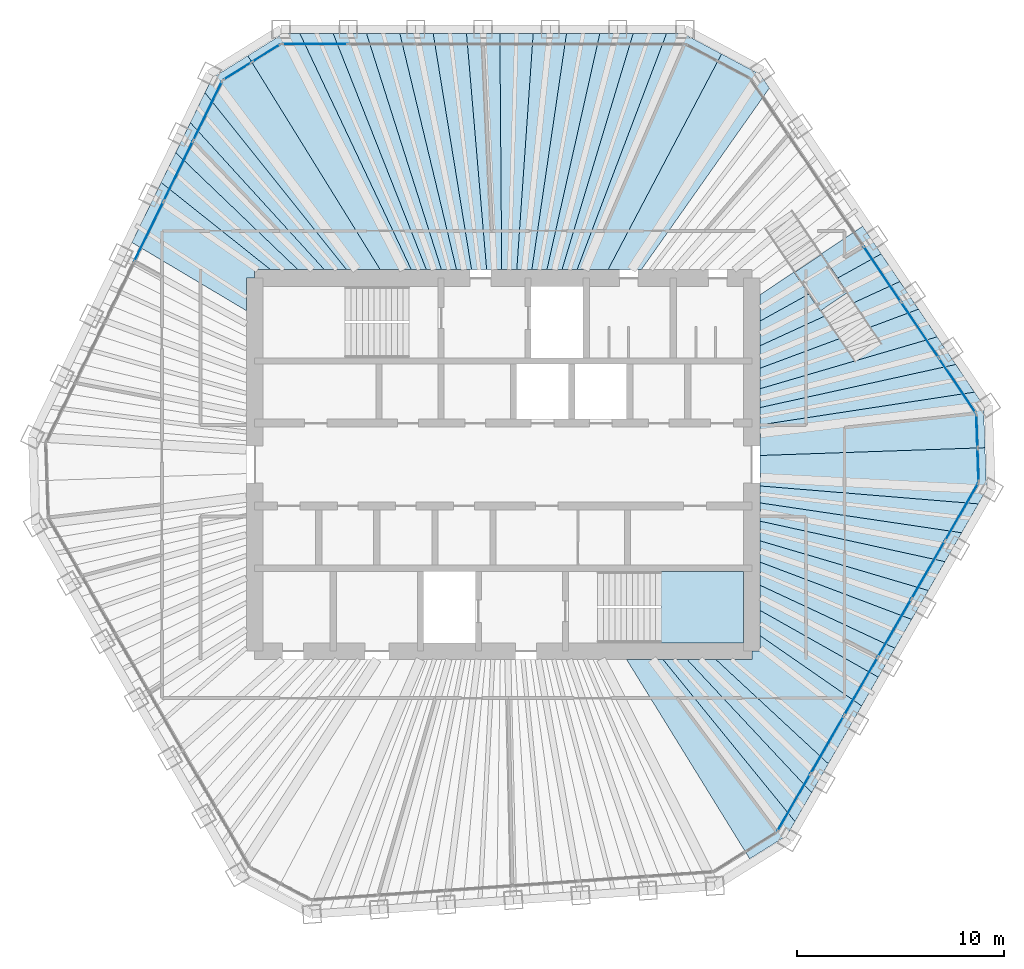
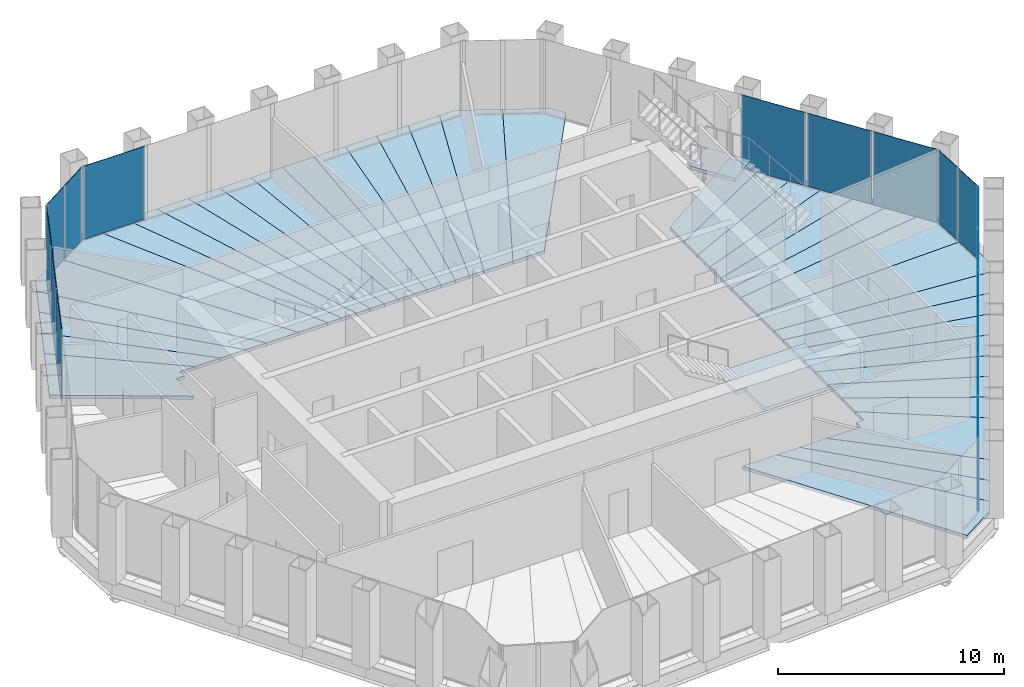
# One storey, part 10 of 14: 40 slabs, 17 plates, 8 elements without a shape of their own.
"""IFC4 building model written with IfcOpenShell, lengths in metres."""

from ifc_helpers import new_model, si_unit, direction, frame, origin, origin_2d, place, context, subcontext, project, spatial, polyline, rectangle, outline, extrude, material, layer, layer_set, constituent, constituent_set, type_object, element, aggregate, save


model = new_model("IFC4")

# Units and contexts
model_context = context("Model", 3, precision=1e-05, world=origin(), true_north=direction((0.0, 1.0)))
body_context = subcontext(model_context, "Body", "Model", "MODEL_VIEW")
ifc_project = project(units=[si_unit("LENGTHUNIT", "METRE"), si_unit("AREAUNIT", "SQUARE_METRE"), si_unit("VOLUMEUNIT", "CUBIC_METRE"), si_unit("PLANEANGLEUNIT", "RADIAN"), si_unit("MASSUNIT", "GRAM", prefix="KILO")], contexts=[model_context])

# Site, building, storey
site_placement = place(None, origin())
site = spatial("IfcSite", under=ifc_project, at=site_placement, CompositionType="ELEMENT")
building_placement = place(site_placement, origin())
building = spatial("IfcBuilding", under=site, at=building_placement, Name="Qingtian Harvest Tower", CompositionType="ELEMENT")
storey_placement = place(building_placement, frame((0.0, 0.0, 325.0)))
storey = spatial("IfcBuildingStorey", under=building, at=storey_placement, Name="L72", CompositionType="ELEMENT", Elevation=325.0)

# Slabs
ifc_material_1 = material(Name="Concrete fc' 35 MPa", Category="concrete")
ifc_layer_1 = layer(ifc_material_1, 0.169921875)
ifc_layer_set_1 = layer_set([ifc_layer_1], Name="Composite floor slab FS17 170")
slab_type_1 = type_object("IfcSlabType", Name="Composite floor slab FS17 170", PredefinedType="FLOOR", material=ifc_layer_set_1)
slab_1_placement = place(storey_placement, frame((0.0, 0.0, -0.169921875)))
element("IfcSlab", 1, at=slab_1_placement, inside=storey, type_object=slab_type_1, Name="Floor slab L72 panel D27", PredefinedType="FLOOR", context=body_context, shape_type="SweptSolid", body=[
    extrude(outline(polyline([(5.945556640625, -9.39990234375), (7.703125, -9.39990234375), (14.077880859375, -17.2265625), (13.6865234375, -17.904296875), (11.890380859375, -19.026611328125), (5.945556640625, -9.39990234375)])), origin(), (0.0, 0.0, 1.0), 0.169921875),
])
slab_2_placement = place(storey_placement, frame((0.0, 0.0, -0.169921875)))
element("IfcSlab", 2, at=slab_2_placement, inside=storey, type_object=slab_type_1, Name="Floor slab L72 panel D28", PredefinedType="FLOOR", context=body_context, shape_type="SweptSolid", body=[
    extrude(outline(polyline([(8.86279296875, -9.39990234375), (14.88232421875, -15.8330078125), (14.077880859375, -17.2265625), (7.703125, -9.39990234375), (8.86279296875, -9.39990234375)])), origin(), (0.0, 0.0, 1.0), 0.169921875),
])
slab_3_placement = place(storey_placement, frame((0.0, 0.0, -0.169921875)))
element("IfcSlab", 3, at=slab_3_placement, inside=storey, type_object=slab_type_1, Name="Floor slab L72 panel D29", PredefinedType="FLOOR", context=body_context, shape_type="SweptSolid", body=[
    extrude(outline(polyline([(10.248046875, -9.39990234375), (15.68701171875, -14.439453125), (14.88232421875, -15.8330078125), (8.86279296875, -9.39990234375), (10.248046875, -9.39990234375)])), origin(), (0.0, 0.0, 1.0), 0.169921875),
])
slab_4_placement = place(storey_placement, frame((0.0, 0.0, -0.169921875)))
element("IfcSlab", 4, at=slab_4_placement, inside=storey, type_object=slab_type_1, Name="Floor slab L72 panel D31", PredefinedType="FLOOR", context=body_context, shape_type="SweptSolid", body=[
    extrude(outline(polyline([(12.39990234375, -8.263427734375), (17.296630859375, -11.651123046875), (15.68701171875, -14.439453125), (10.248046875, -9.39990234375), (12.0, -9.39990234375), (12.0, -9.0), (12.39990234375, -9.0), (12.39990234375, -8.263427734375)])), origin(), (0.0, 0.0, 1.0), 0.169921875),
])
slab_5_placement = place(storey_placement, frame((0.0, 0.0, -0.169921875)))
element("IfcSlab", 5, at=slab_5_placement, inside=storey, type_object=slab_type_1, Name="Floor slab L72 panel D32", PredefinedType="FLOOR", context=body_context, shape_type="SweptSolid", body=[
    extrude(outline(polyline([(12.39990234375, -7.04296875), (18.099853515625, -10.26025390625), (17.296630859375, -11.651123046875), (12.39990234375, -8.263427734375), (12.39990234375, -7.04296875)])), origin(), (0.0, 0.0, 1.0), 0.169921875),
])
slab_6_placement = place(storey_placement, frame((0.0, 0.0, -0.169921875)))
element("IfcSlab", 6, at=slab_6_placement, inside=storey, type_object=slab_type_1, Name="Floor slab L72 panel D33", PredefinedType="FLOOR", context=body_context, shape_type="SweptSolid", body=[
    extrude(outline(polyline([(12.39990234375, -5.828125), (18.904296875, -8.86669921875), (18.099853515625, -10.26025390625), (12.39990234375, -7.04296875), (12.39990234375, -5.828125)])), origin(), (0.0, 0.0, 1.0), 0.169921875),
])
slab_7_placement = place(storey_placement, frame((0.0, 0.0, -0.169921875)))
element("IfcSlab", 7, at=slab_7_placement, inside=storey, type_object=slab_type_1, Name="Floor slab L72 panel D34", PredefinedType="FLOOR", context=body_context, shape_type="SweptSolid", body=[
    extrude(outline(polyline([(12.39990234375, -4.712646484375), (19.708740234375, -7.473388671875), (18.904296875, -8.86669921875), (12.39990234375, -5.828125), (12.39990234375, -4.712646484375)])), origin(), (0.0, 0.0, 1.0), 0.169921875),
])
slab_8_placement = place(storey_placement, frame((0.0, 0.0, -0.169921875)))
element("IfcSlab", 8, at=slab_8_placement, inside=storey, type_object=slab_type_1, Name="Floor slab L72 panel D35", PredefinedType="FLOOR", context=body_context, shape_type="SweptSolid", body=[
    extrude(outline(polyline([(12.39990234375, -3.684814453125), (20.51318359375, -6.080078125), (19.708740234375, -7.473388671875), (12.39990234375, -4.712646484375), (12.39990234375, -3.684814453125)])), origin(), (0.0, 0.0, 1.0), 0.169921875),
])
slab_9_placement = place(storey_placement, frame((0.0, 0.0, -0.169921875)))
element("IfcSlab", 9, at=slab_9_placement, inside=storey, type_object=slab_type_1, Name="Floor slab L72 panel D36", PredefinedType="FLOOR", context=body_context, shape_type="SweptSolid", body=[
    extrude(outline(polyline([(12.39990234375, -2.734619140625), (21.317626953125, -4.6865234375), (20.51318359375, -6.080078125), (12.39990234375, -3.684814453125), (12.39990234375, -2.734619140625)])), origin(), (0.0, 0.0, 1.0), 0.169921875),
])
slab_10_placement = place(storey_placement, frame((0.0, 0.0, -0.169921875)))
element("IfcSlab", 10, at=slab_10_placement, inside=storey, type_object=slab_type_1, Name="Floor slab L72 panel D37", PredefinedType="FLOOR", context=body_context, shape_type="SweptSolid", body=[
    extrude(outline(polyline([(12.39990234375, -1.853515625), (22.122314453125, -3.293212890625), (21.317626953125, -4.6865234375), (12.39990234375, -2.734619140625), (12.39990234375, -1.853515625)])), origin(), (0.0, 0.0, 1.0), 0.169921875),
])
slab_11_placement = place(storey_placement, frame((0.0, 0.0, -0.169921875)))
element("IfcSlab", 11, at=slab_11_placement, inside=storey, type_object=slab_type_1, Name="Floor slab L72 panel D38", PredefinedType="FLOOR", context=body_context, shape_type="SweptSolid", body=[
    extrude(outline(polyline([(12.39990234375, -1.034423828125), (22.9267578125, -1.89990234375), (22.122314453125, -3.293212890625), (12.39990234375, -1.853515625), (12.39990234375, -1.034423828125)])), origin(), (0.0, 0.0, 1.0), 0.169921875),
])
slab_12_placement = place(storey_placement, frame((0.0, 0.0, -0.169921875)))
element("IfcSlab", 12, at=slab_12_placement, inside=storey, type_object=slab_type_1, Name="Floor slab L72 panel D39", PredefinedType="FLOOR", context=body_context, shape_type="SweptSolid", body=[
    extrude(outline(polyline([(12.39990234375, -1.034423828125), (12.39990234375, 0.436279296875), (23.246826171875, 0.811767578125), (23.31787109375, -1.22216796875), (22.9267578125, -1.89990234375), (12.39990234375, -1.034423828125)])), origin(), (0.0, 0.0, 1.0), 0.169921875),
])
slab_13_placement = place(storey_placement, frame((0.0, 0.0, -0.169921875)))
element("IfcSlab", 13, at=slab_13_placement, inside=storey, type_object=slab_type_1, Name="Floor slab L72 panel D40", PredefinedType="FLOOR", context=body_context, shape_type="SweptSolid", body=[
    extrude(outline(polyline([(12.39990234375, 0.436279296875), (12.39990234375, 1.91357421875), (22.73828125, 3.494384765625), (23.17578125, 2.845947265625), (23.246826171875, 0.811767578125), (12.39990234375, 0.436279296875)])), origin(), (0.0, 0.0, 1.0), 0.169921875),
])
slab_14_placement = place(storey_placement, frame((0.0, 0.0, -0.169921875)))
element("IfcSlab", 14, at=slab_14_placement, inside=storey, type_object=slab_type_1, Name="Floor slab L72 panel D41", PredefinedType="FLOOR", context=body_context, shape_type="SweptSolid", body=[
    extrude(outline(polyline([(12.39990234375, 2.75048828125), (21.838623046875, 4.828369140625), (22.73828125, 3.494384765625), (12.39990234375, 1.91357421875), (12.39990234375, 2.75048828125)])), origin(), (0.0, 0.0, 1.0), 0.169921875),
])
slab_15_placement = place(storey_placement, frame((0.0, 0.0, -0.169921875)))
element("IfcSlab", 15, at=slab_15_placement, inside=storey, type_object=slab_type_1, Name="Floor slab L72 panel D42", PredefinedType="FLOOR", context=body_context, shape_type="SweptSolid", body=[
    extrude(outline(polyline([(12.39990234375, 3.659423828125), (20.93896484375, 6.162353515625), (21.838623046875, 4.828369140625), (12.39990234375, 2.75048828125), (12.39990234375, 3.659423828125)])), origin(), (0.0, 0.0, 1.0), 0.169921875),
])
slab_16_placement = place(storey_placement, frame((0.0, 0.0, -0.169921875)))
element("IfcSlab", 16, at=slab_16_placement, inside=storey, type_object=slab_type_1, Name="Floor slab L72 panel D43", PredefinedType="FLOOR", context=body_context, shape_type="SweptSolid", body=[
    extrude(outline(polyline([(12.39990234375, 4.64990234375), (20.0390625, 7.49609375), (20.93896484375, 6.162353515625), (12.39990234375, 3.659423828125), (12.39990234375, 4.64990234375)])), origin(), (0.0, 0.0, 1.0), 0.169921875),
])
slab_17_placement = place(storey_placement, frame((0.0, 0.0, -0.169921875)))
element("IfcSlab", 17, at=slab_17_placement, inside=storey, type_object=slab_type_1, Name="Floor slab L72 panel D44", PredefinedType="FLOOR", context=body_context, shape_type="SweptSolid", body=[
    extrude(outline(polyline([(12.39990234375, 5.73388671875), (19.139404296875, 8.830078125), (20.0390625, 7.49609375), (12.39990234375, 4.64990234375), (12.39990234375, 5.73388671875)])), origin(), (0.0, 0.0, 1.0), 0.169921875),
])
slab_18_placement = place(storey_placement, frame((0.0, 0.0, -0.169921875)))
element("IfcSlab", 18, at=slab_18_placement, inside=storey, type_object=slab_type_1, Name="Floor slab L72 panel D45", PredefinedType="FLOOR", context=body_context, shape_type="SweptSolid", body=[
    extrude(outline(polyline([(12.39990234375, 6.925048828125), (18.23974609375, 10.1640625), (19.139404296875, 8.830078125), (12.39990234375, 5.73388671875), (12.39990234375, 6.925048828125)])), origin(), (0.0, 0.0, 1.0), 0.169921875),
])
slab_19_placement = place(storey_placement, frame((0.0, 0.0, -0.169921875)))
element("IfcSlab", 19, at=slab_19_placement, inside=storey, type_object=slab_type_1, Name="Floor slab L72 panel D46", PredefinedType="FLOOR", context=body_context, shape_type="SweptSolid", body=[
    extrude(outline(polyline([(12.39990234375, 8.199462890625), (17.340576171875, 11.4970703125), (18.23974609375, 10.1640625), (12.39990234375, 6.925048828125), (12.39990234375, 8.199462890625)])), origin(), (0.0, 0.0, 1.0), 0.169921875),
])
slab_20_placement = place(storey_placement, frame((0.0, 0.0, -0.169921875)))
element("IfcSlab", 20, at=slab_20_placement, inside=storey, type_object=slab_type_1, Name="Floor slab L72 panel D52", PredefinedType="FLOOR", context=body_context, shape_type="SweptSolid", body=[
    extrude(outline(polyline([(6.662109375, 9.39990234375), (5.05419921875, 9.39990234375), (10.533935546875, 19.809814453125), (12.404296875, 18.8154296875), (12.841796875, 18.16650390625), (6.662109375, 9.39990234375)])), origin(), (0.0, 0.0, 1.0), 0.169921875),
])
slab_21_placement = place(storey_placement, frame((0.0, 0.0, -0.169921875)))
element("IfcSlab", 21, at=slab_21_placement, inside=storey, type_object=slab_type_1, Name="Floor slab L72 panel D53", PredefinedType="FLOOR", context=body_context, shape_type="SweptSolid", body=[
    extrude(outline(polyline([(3.560302734375, 9.39990234375), (7.880126953125, 20.804931640625), (8.662109375, 20.804931640625), (10.533935546875, 19.809814453125), (5.05419921875, 9.39990234375), (3.560302734375, 9.39990234375)])), origin(), (0.0, 0.0, 1.0), 0.169921875),
])
slab_22_placement = place(storey_placement, frame((0.0, 0.0, -0.169921875)))
element("IfcSlab", 22, at=slab_22_placement, inside=storey, type_object=slab_type_1, Name="Floor slab L72 panel D54", PredefinedType="FLOOR", context=body_context, shape_type="SweptSolid", body=[
    extrude(outline(polyline([(2.833251953125, 9.39990234375), (6.27099609375, 20.804931640625), (7.880126953125, 20.804931640625), (3.560302734375, 9.39990234375), (2.833251953125, 9.39990234375)])), origin(), (0.0, 0.0, 1.0), 0.169921875),
])
slab_23_placement = place(storey_placement, frame((0.0, 0.0, -0.169921875)))
element("IfcSlab", 23, at=slab_23_placement, inside=storey, type_object=slab_type_1, Name="Floor slab L72 panel D55", PredefinedType="FLOOR", context=body_context, shape_type="SweptSolid", body=[
    extrude(outline(polyline([(2.1064453125, 9.39990234375), (4.662109375, 20.804931640625), (6.27099609375, 20.804931640625), (2.833251953125, 9.39990234375), (2.1064453125, 9.39990234375)])), origin(), (0.0, 0.0, 1.0), 0.169921875),
])
slab_24_placement = place(storey_placement, frame((0.0, 0.0, -0.169921875)))
element("IfcSlab", 24, at=slab_24_placement, inside=storey, type_object=slab_type_1, Name="Floor slab L72 panel D56", PredefinedType="FLOOR", context=body_context, shape_type="SweptSolid", body=[
    extrude(outline(polyline([(1.37939453125, 9.39990234375), (3.05322265625, 20.804931640625), (4.662109375, 20.804931640625), (2.1064453125, 9.39990234375), (1.37939453125, 9.39990234375)])), origin(), (0.0, 0.0, 1.0), 0.169921875),
])
slab_25_placement = place(storey_placement, frame((0.0, 0.0, -0.169921875)))
element("IfcSlab", 25, at=slab_25_placement, inside=storey, type_object=slab_type_1, Name="Floor slab L72 panel D57", PredefinedType="FLOOR", context=body_context, shape_type="SweptSolid", body=[
    extrude(outline(polyline([(0.652587890625, 9.39990234375), (1.4443359375, 20.804931640625), (3.05322265625, 20.804931640625), (1.37939453125, 9.39990234375), (0.652587890625, 9.39990234375)])), origin(), (0.0, 0.0, 1.0), 0.169921875),
])
slab_26_placement = place(storey_placement, frame((0.0, 0.0, -0.169921875)))
element("IfcSlab", 26, at=slab_26_placement, inside=storey, type_object=slab_type_1, Name="Floor slab L72 panel D58", PredefinedType="FLOOR", context=body_context, shape_type="SweptSolid", body=[
    extrude(outline(polyline([(-0.074462890625, 9.39990234375), (-0.16455078125, 20.804931640625), (1.4443359375, 20.804931640625), (0.652587890625, 9.39990234375), (-0.074462890625, 9.39990234375)])), origin(), (0.0, 0.0, 1.0), 0.169921875),
])
slab_27_placement = place(storey_placement, frame((0.0, 0.0, -0.169921875)))
element("IfcSlab", 27, at=slab_27_placement, inside=storey, type_object=slab_type_1, Name="Floor slab L72 panel D59", PredefinedType="FLOOR", context=body_context, shape_type="SweptSolid", body=[
    extrude(outline(polyline([(-0.80126953125, 9.39990234375), (-1.773681640625, 20.804931640625), (-0.16455078125, 20.804931640625), (-0.074462890625, 9.39990234375), (-0.80126953125, 9.39990234375)])), origin(), (0.0, 0.0, 1.0), 0.169921875),
])
slab_28_placement = place(storey_placement, frame((0.0, 0.0, -0.169921875)))
element("IfcSlab", 28, at=slab_28_placement, inside=storey, type_object=slab_type_1, Name="Floor slab L72 panel D60", PredefinedType="FLOOR", context=body_context, shape_type="SweptSolid", body=[
    extrude(outline(polyline([(-1.5283203125, 9.39990234375), (-3.382568359375, 20.804931640625), (-1.773681640625, 20.804931640625), (-0.80126953125, 9.39990234375), (-1.5283203125, 9.39990234375)])), origin(), (0.0, 0.0, 1.0), 0.169921875),
])
slab_29_placement = place(storey_placement, frame((0.0, 0.0, -0.169921875)))
element("IfcSlab", 29, at=slab_29_placement, inside=storey, type_object=slab_type_1, Name="Floor slab L72 panel D61", PredefinedType="FLOOR", context=body_context, shape_type="SweptSolid", body=[
    extrude(outline(polyline([(-2.255126953125, 9.39990234375), (-4.991455078125, 20.804931640625), (-3.382568359375, 20.804931640625), (-1.5283203125, 9.39990234375), (-2.255126953125, 9.39990234375)])), origin(), (0.0, 0.0, 1.0), 0.169921875),
])
slab_30_placement = place(storey_placement, frame((0.0, 0.0, -0.169921875)))
element("IfcSlab", 30, at=slab_30_placement, inside=storey, type_object=slab_type_1, Name="Floor slab L72 panel D62", PredefinedType="FLOOR", context=body_context, shape_type="SweptSolid", body=[
    extrude(outline(polyline([(-2.982177734375, 9.39990234375), (-6.600341796875, 20.804931640625), (-4.991455078125, 20.804931640625), (-2.255126953125, 9.39990234375), (-2.982177734375, 9.39990234375)])), origin(), (0.0, 0.0, 1.0), 0.169921875),
])
slab_31_placement = place(storey_placement, frame((0.0, 0.0, -0.169921875)))
element("IfcSlab", 31, at=slab_31_placement, inside=storey, type_object=slab_type_1, Name="Floor slab L72 panel D63", PredefinedType="FLOOR", context=body_context, shape_type="SweptSolid", body=[
    extrude(outline(polyline([(-3.708984375, 9.39990234375), (-8.209228515625, 20.804931640625), (-6.600341796875, 20.804931640625), (-2.982177734375, 9.39990234375), (-3.708984375, 9.39990234375)])), origin(), (0.0, 0.0, 1.0), 0.169921875),
])
slab_32_placement = place(storey_placement, frame((0.0, 0.0, -0.169921875)))
element("IfcSlab", 32, at=slab_32_placement, inside=storey, type_object=slab_type_1, Name="Floor slab L72 panel D64", PredefinedType="FLOOR", context=body_context, shape_type="SweptSolid", body=[
    extrude(outline(polyline([(-4.43603515625, 9.39990234375), (-9.818115234375, 20.804931640625), (-8.209228515625, 20.804931640625), (-3.708984375, 9.39990234375), (-4.43603515625, 9.39990234375)])), origin(), (0.0, 0.0, 1.0), 0.169921875),
])
slab_33_placement = place(storey_placement, frame((0.0, 0.0, -0.169921875)))
element("IfcSlab", 33, at=slab_33_placement, inside=storey, type_object=slab_type_1, Name="Floor slab L72 panel D65", PredefinedType="FLOOR", context=body_context, shape_type="SweptSolid", body=[
    extrude(outline(polyline([(-4.43603515625, 9.39990234375), (-5.935302734375, 9.39990234375), (-12.327392578125, 19.725830078125), (-10.600341796875, 20.804931640625), (-9.818115234375, 20.804931640625), (-4.43603515625, 9.39990234375)])), origin(), (0.0, 0.0, 1.0), 0.169921875),
])
slab_34_placement = place(storey_placement, frame((0.0, 0.0, -0.169921875)))
element("IfcSlab", 34, at=slab_34_placement, inside=storey, type_object=slab_type_1, Name="Floor slab L72 panel D66", PredefinedType="FLOOR", context=body_context, shape_type="SweptSolid", body=[
    extrude(outline(polyline([(-5.935302734375, 9.39990234375), (-7.560302734375, 9.39990234375), (-14.3955078125, 17.944580078125), (-14.052490234375, 18.64794921875), (-12.327392578125, 19.725830078125), (-5.935302734375, 9.39990234375)])), origin(), (0.0, 0.0, 1.0), 0.169921875),
])
slab_35_placement = place(storey_placement, frame((0.0, 0.0, -0.169921875)))
element("IfcSlab", 35, at=slab_35_placement, inside=storey, type_object=slab_type_1, Name="Floor slab L72 panel D67", PredefinedType="FLOOR", context=body_context, shape_type="SweptSolid", body=[
    extrude(outline(polyline([(-8.62890625, 9.39990234375), (-15.100830078125, 16.498291015625), (-14.3955078125, 17.944580078125), (-7.560302734375, 9.39990234375), (-8.62890625, 9.39990234375)])), origin(), (0.0, 0.0, 1.0), 0.169921875),
])
slab_36_placement = place(storey_placement, frame((0.0, 0.0, -0.169921875)))
element("IfcSlab", 36, at=slab_36_placement, inside=storey, type_object=slab_type_1, Name="Floor slab L72 panel D68", PredefinedType="FLOOR", context=body_context, shape_type="SweptSolid", body=[
    extrude(outline(polyline([(-9.90380859375, 9.39990234375), (-15.80615234375, 15.05224609375), (-15.100830078125, 16.498291015625), (-8.62890625, 9.39990234375), (-9.90380859375, 9.39990234375)])), origin(), (0.0, 0.0, 1.0), 0.169921875),
])
slab_37_placement = place(storey_placement, frame((0.0, 0.0, -0.169921875)))
element("IfcSlab", 37, at=slab_37_placement, inside=storey, type_object=slab_type_1, Name="Floor slab L72 panel D69", PredefinedType="FLOOR", context=body_context, shape_type="SweptSolid", body=[
    extrude(outline(polyline([(-11.224853515625, 9.39990234375), (-16.509765625, 13.609619140625), (-15.80615234375, 15.05224609375), (-9.90380859375, 9.39990234375), (-11.224853515625, 9.39990234375)])), origin(), (0.0, 0.0, 1.0), 0.169921875),
])
slab_38_placement = place(storey_placement, frame((0.0, 0.0, -0.169921875)))
element("IfcSlab", 38, at=slab_38_placement, inside=storey, type_object=slab_type_1, Name="Floor slab L72 panel D70", PredefinedType="FLOOR", context=body_context, shape_type="SweptSolid", body=[
    extrude(outline(polyline([(-12.0, 9.0), (-12.39990234375, 9.0), (-12.39990234375, 7.42578125), (-17.921875, 10.714599609375), (-16.509765625, 13.609619140625), (-11.224853515625, 9.39990234375), (-12.0, 9.39990234375), (-12.0, 9.0)])), origin(), (0.0, 0.0, 1.0), 0.169921875),
])

# Stair, slab
ifc_material_2 = material(Name="Steel SN490B (325 MPa)", Category="steel")
ifc_constituent_1 = constituent(ifc_material_2, Name="Stringers")
ifc_material_3 = material(Name="Terrazzo treads")
ifc_constituent_2 = constituent(ifc_material_3, Name="Treads")
ifc_constituent_set = constituent_set(constituents=[ifc_constituent_1, ifc_constituent_2], Name="Steel SN490B (325 MPa)")
stair_type_1 = type_object("IfcStairType", Name="Feature stair FS4200 straight run", PredefinedType="STRAIGHT_RUN_STAIR", material=ifc_constituent_set)
stair_1_placement = place(storey_placement, origin())
stair_1 = element("IfcStair", 39, at=stair_1_placement, inside=storey, type_object=stair_type_1, Name="Feature stair FS5 L72 to L73", PredefinedType="STRAIGHT_RUN_STAIR")
ifc_material_4 = material(Name="Steel deck with terrazzo", Category="steel")
ifc_layer_2 = layer(ifc_material_4, 0.199951171875)
ifc_layer_set_2 = layer_set([ifc_layer_2], Name="Feature stair landing SL3 200")
slab_type_2 = type_object("IfcSlabType", Name="Feature stair landing SL3 200", PredefinedType="LANDING", material=ifc_layer_set_2)
slab_39_placement = place(storey_placement, frame((0.0, 0.0, 1.89990234375)))
slab_39 = element("IfcSlab", 40, at=slab_39_placement, type_object=slab_type_2, Name="FS5 landing 1", PredefinedType="LANDING", context=body_context, shape_type="SweptSolid", body=[
    extrude(outline(polyline([(14.040283203125, 9.259521484375), (15.36669921875, 10.154052734375), (16.616455078125, 8.30126953125), (15.2900390625, 7.406494140625), (14.040283203125, 9.259521484375)])), origin(), (0.0, 0.0, 1.0), 0.2001953125),
])
aggregate(stair_1, [slab_39])

# Curtain wall, plate
ifc_material_5 = material(Name="Bronze-anodised aluminium curtain wall", Category="aluminium")
curtain_wall_type = type_object("IfcCurtainWallType", Name="Curtain wall CW6 executive floors", PredefinedType="USERDEFINED", material=ifc_material_5)
curtain_wall_1_placement = place(storey_placement, origin())
curtain_wall_1 = element("IfcCurtainWall", 41, at=curtain_wall_1_placement, inside=storey, type_object=curtain_wall_type, Name="Curtain wall CW6 L72 N0-5", ObjectType="RECESSED CURTAIN WALL", PredefinedType="USERDEFINED")
ifc_material_6 = material(Name="Bronze-tinted laminated insulating glass", Category="glass")
ifc_layer_3 = layer(ifc_material_6, 0.030029296875)
ifc_layer_set_3 = layer_set([ifc_layer_3], Name="Glazed panel CWP tinted IGU")
plate_type = type_object("IfcPlateType", Name="Glazed panel CWP tinted IGU", PredefinedType="CURTAIN_PANEL", material=ifc_layer_set_3)
plate_1_placement = place(storey_placement, frame((-9.08203125, 20.300048828125, 0.06494140625), z_axis=(0.0, 0.0, 1.0), x_axis=(1.0, 0.0, 0.0)))
plate_1 = element("IfcPlate", 42, at=plate_1_placement, type_object=plate_type, Name="CW6 panel 1.1", PredefinedType="CURTAIN_PANEL", context=body_context, shape_type="SweptSolid", body=[
    extrude(rectangle(XDim=3.150634765625, YDim=0.030029296875, at=origin_2d()), origin(), (0.0, 0.0, 1.0), 3.965087890625),
])
aggregate(curtain_wall_1, [plate_1])

# Curtain wall, plates
curtain_wall_2_placement = place(storey_placement, origin())
curtain_wall_2 = element("IfcCurtainWall", 43, at=curtain_wall_2_placement, inside=storey, type_object=curtain_wall_type, Name="Curtain wall CW6 L72 NE0-5", ObjectType="RECESSED CURTAIN WALL", PredefinedType="USERDEFINED")
plate_2_placement = place(storey_placement, frame((18.28466796875, 9.1943359375, 0.06494140625), z_axis=(0.0, 0.0, 1.0), x_axis=(0.559192903471, -0.829037572555, 0.0)))
plate_2 = element("IfcPlate", 44, at=plate_2_placement, type_object=plate_type, Name="CW6 panel 4.1", PredefinedType="CURTAIN_PANEL", context=body_context, shape_type="SweptSolid", body=[
    extrude(rectangle(XDim=3.18310546875, YDim=0.030029296875, at=origin_2d()), origin(), (0.0, 0.0, 1.0), 3.965087890625),
])
plate_3_placement = place(storey_placement, frame((20.100830078125, 6.50146484375, 0.06494140625), z_axis=(0.0, 0.0, 1.0), x_axis=(0.559192903471, -0.829037572555, 0.0)))
plate_3 = element("IfcPlate", 45, at=plate_3_placement, type_object=plate_type, Name="CW6 panel 5.1", PredefinedType="CURTAIN_PANEL", context=body_context, shape_type="SweptSolid", body=[
    extrude(rectangle(XDim=3.18310546875, YDim=0.030029296875, at=origin_2d()), origin(), (0.0, 0.0, 1.0), 3.965087890625),
])
plate_4_placement = place(storey_placement, frame((21.907958984375, 3.822265625, 0.06494140625), z_axis=(0.0, 0.0, 1.0), x_axis=(0.559192903471, -0.829037572555, 0.0)))
plate_4 = element("IfcPlate", 46, at=plate_4_placement, type_object=plate_type, Name="CW6 panel 6.1", PredefinedType="CURTAIN_PANEL", context=body_context, shape_type="SweptSolid", body=[
    extrude(rectangle(XDim=3.150634765625, YDim=0.030029296875, at=origin_2d()), origin(), (0.0, 0.0, 1.0), 3.965087890625),
])
aggregate(curtain_wall_2, [plate_2, plate_3, plate_4])

curtain_wall_3_placement = place(storey_placement, origin())
curtain_wall_3 = element("IfcCurtainWall", 47, at=curtain_wall_3_placement, inside=storey, type_object=curtain_wall_type, Name="Curtain wall CW6 L72 NEC", ObjectType="RECESSED CURTAIN WALL", PredefinedType="USERDEFINED")
plate_5_placement = place(storey_placement, frame((22.85498046875, 1.614501953125, 0.06494140625), z_axis=(0.0, 0.0, 1.0), x_axis=(0.034899496703, -0.999390827019, 0.0)))
plate_5 = element("IfcPlate", 48, at=plate_5_placement, type_object=plate_type, Name="CW6 panel 1.1", PredefinedType="CURTAIN_PANEL", context=body_context, shape_type="SweptSolid", body=[
    extrude(rectangle(XDim=1.56689453125, YDim=0.030029296875, at=origin_2d()), origin(), (0.0, 0.0, 1.0), 3.965087890625),
])
plate_6_placement = place(storey_placement, frame((22.911865234375, -0.016357421875, 0.06494140625), z_axis=(0.0, 0.0, 1.0), x_axis=(0.034899496703, -0.999390827019, 0.0)))
plate_6 = element("IfcPlate", 49, at=plate_6_placement, type_object=plate_type, Name="CW6 panel 2.1", PredefinedType="CURTAIN_PANEL", context=body_context, shape_type="SweptSolid", body=[
    extrude(rectangle(XDim=1.56689453125, YDim=0.030029296875, at=origin_2d()), origin(), (0.0, 0.0, 1.0), 3.965087890625),
])
aggregate(curtain_wall_3, [plate_5, plate_6])

curtain_wall_4_placement = place(storey_placement, origin())
curtain_wall_4 = element("IfcCurtainWall", 50, at=curtain_wall_4_placement, inside=storey, type_object=curtain_wall_type, Name="Curtain wall CW6 L72 SE0-5", ObjectType="RECESSED CURTAIN WALL", PredefinedType="USERDEFINED")
plate_7_placement = place(storey_placement, frame((22.121337890625, -2.28466796875, 0.06494140625), z_axis=(0.0, 0.0, 1.0), x_axis=(-0.5, -0.866025403784, 0.0)))
plate_7 = element("IfcPlate", 51, at=plate_7_placement, type_object=plate_type, Name="CW6 panel 1.1", PredefinedType="CURTAIN_PANEL", context=body_context, shape_type="SweptSolid", body=[
    extrude(rectangle(XDim=3.150634765625, YDim=0.030029296875, at=origin_2d()), origin(), (0.0, 0.0, 1.0), 3.965087890625),
])
plate_8_placement = place(storey_placement, frame((20.50537109375, -5.08349609375, 0.06494140625), z_axis=(0.0, 0.0, 1.0), x_axis=(-0.5, -0.866025403784, 0.0)))
plate_8 = element("IfcPlate", 52, at=plate_8_placement, type_object=plate_type, Name="CW6 panel 2.1", PredefinedType="CURTAIN_PANEL", context=body_context, shape_type="SweptSolid", body=[
    extrude(rectangle(XDim=3.18310546875, YDim=0.030029296875, at=origin_2d()), origin(), (0.0, 0.0, 1.0), 3.965087890625),
])
plate_9_placement = place(storey_placement, frame((18.88134765625, -7.896484375, 0.06494140625), z_axis=(0.0, 0.0, 1.0), x_axis=(-0.5, -0.866025403784, 0.0)))
plate_9 = element("IfcPlate", 53, at=plate_9_placement, type_object=plate_type, Name="CW6 panel 3.1", PredefinedType="CURTAIN_PANEL", context=body_context, shape_type="SweptSolid", body=[
    extrude(rectangle(XDim=3.18310546875, YDim=0.030029296875, at=origin_2d()), origin(), (0.0, 0.0, 1.0), 3.965087890625),
])
plate_10_placement = place(storey_placement, frame((17.25732421875, -10.709228515625, 0.06494140625), z_axis=(0.0, 0.0, 1.0), x_axis=(-0.5, -0.866025403784, 0.0)))
plate_10 = element("IfcPlate", 54, at=plate_10_placement, type_object=plate_type, Name="CW6 panel 4.1", PredefinedType="CURTAIN_PANEL", context=body_context, shape_type="SweptSolid", body=[
    extrude(rectangle(XDim=3.18310546875, YDim=0.030029296875, at=origin_2d()), origin(), (0.0, 0.0, 1.0), 3.965087890625),
])
plate_11_placement = place(storey_placement, frame((15.63330078125, -13.522216796875, 0.06494140625), z_axis=(0.0, 0.0, 1.0), x_axis=(-0.5, -0.866025403784, 0.0)))
plate_11 = element("IfcPlate", 55, at=plate_11_placement, type_object=plate_type, Name="CW6 panel 5.1", PredefinedType="CURTAIN_PANEL", context=body_context, shape_type="SweptSolid", body=[
    extrude(rectangle(XDim=3.18310546875, YDim=0.030029296875, at=origin_2d()), origin(), (0.0, 0.0, 1.0), 3.965087890625),
])
plate_12_placement = place(storey_placement, frame((14.017578125, -16.321044921875, 0.06494140625), z_axis=(0.0, 0.0, 1.0), x_axis=(-0.5, -0.866025403784, 0.0)))
plate_12 = element("IfcPlate", 56, at=plate_12_placement, type_object=plate_type, Name="CW6 panel 6.1", PredefinedType="CURTAIN_PANEL", context=body_context, shape_type="SweptSolid", body=[
    extrude(rectangle(XDim=3.150634765625, YDim=0.030029296875, at=origin_2d()), origin(), (0.0, 0.0, 1.0), 3.965087890625),
])
aggregate(curtain_wall_4, [plate_7, plate_8, plate_9, plate_10, plate_11, plate_12])

curtain_wall_5_placement = place(storey_placement, origin())
curtain_wall_5 = element("IfcCurtainWall", 57, at=curtain_wall_5_placement, inside=storey, type_object=curtain_wall_type, Name="Curtain wall CW6 L72 NW0-5", ObjectType="RECESSED CURTAIN WALL", PredefinedType="USERDEFINED")
plate_13_placement = place(storey_placement, frame((-17.104736328125, 11.23779296875, 0.06494140625), z_axis=(0.0, 0.0, 1.0), x_axis=(0.438371146789, 0.898794046299, 0.0)))
plate_13 = element("IfcPlate", 58, at=plate_13_placement, type_object=plate_type, Name="CW6 panel 4.1", PredefinedType="CURTAIN_PANEL", context=body_context, shape_type="SweptSolid", body=[
    extrude(rectangle(XDim=3.18310546875, YDim=0.030029296875, at=origin_2d()), origin(), (0.0, 0.0, 1.0), 3.965087890625),
])
plate_14_placement = place(storey_placement, frame((-15.680908203125, 14.156982421875, 0.06494140625), z_axis=(0.0, 0.0, 1.0), x_axis=(0.438371146789, 0.898794046299, 0.0)))
plate_14 = element("IfcPlate", 59, at=plate_14_placement, type_object=plate_type, Name="CW6 panel 5.1", PredefinedType="CURTAIN_PANEL", context=body_context, shape_type="SweptSolid", body=[
    extrude(rectangle(XDim=3.18310546875, YDim=0.030029296875, at=origin_2d()), origin(), (0.0, 0.0, 1.0), 3.965087890625),
])
plate_15_placement = place(storey_placement, frame((-14.26416015625, 17.061767578125, 0.06494140625), z_axis=(0.0, 0.0, 1.0), x_axis=(0.438371146789, 0.898794046299, 0.0)))
plate_15 = element("IfcPlate", 60, at=plate_15_placement, type_object=plate_type, Name="CW6 panel 6.1", PredefinedType="CURTAIN_PANEL", context=body_context, shape_type="SweptSolid", body=[
    extrude(rectangle(XDim=3.150634765625, YDim=0.030029296875, at=origin_2d()), origin(), (0.0, 0.0, 1.0), 3.965087890625),
])
aggregate(curtain_wall_5, [plate_13, plate_14, plate_15])

curtain_wall_6_placement = place(storey_placement, origin())
curtain_wall_6 = element("IfcCurtainWall", 61, at=curtain_wall_6_placement, inside=storey, type_object=curtain_wall_type, Name="Curtain wall CW6 L72 NWC", ObjectType="RECESSED CURTAIN WALL", PredefinedType="USERDEFINED")
plate_16_placement = place(storey_placement, frame((-12.82568359375, 18.985595703125, 0.06494140625), z_axis=(0.0, 0.0, 1.0), x_axis=(0.848048096156, 0.529919264233, 0.0)))
plate_16 = element("IfcPlate", 62, at=plate_16_placement, type_object=plate_type, Name="CW6 panel 1.1", PredefinedType="CURTAIN_PANEL", context=body_context, shape_type="SweptSolid", body=[
    extrude(rectangle(XDim=1.56689453125, YDim=0.030029296875, at=origin_2d()), origin(), (0.0, 0.0, 1.0), 3.965087890625),
])
plate_17_placement = place(storey_placement, frame((-11.441650390625, 19.850341796875, 0.06494140625), z_axis=(0.0, 0.0, 1.0), x_axis=(0.848048096156, 0.529919264233, 0.0)))
plate_17 = element("IfcPlate", 63, at=plate_17_placement, type_object=plate_type, Name="CW6 panel 2.1", PredefinedType="CURTAIN_PANEL", context=body_context, shape_type="SweptSolid", body=[
    extrude(rectangle(XDim=1.56689453125, YDim=0.030029296875, at=origin_2d()), origin(), (0.0, 0.0, 1.0), 3.965087890625),
])
aggregate(curtain_wall_6, [plate_16, plate_17])

# Stair, slab
ifc_material_7 = material(Name="Concrete fc' 35 MPa", Category="concrete")
stair_type_2 = type_object("IfcStairType", Name="Special stair ST7 4200", PredefinedType="HALF_TURN_STAIR", material=ifc_material_7)
stair_2_placement = place(storey_placement, origin())
stair_2 = element("IfcStair", 64, at=stair_2_placement, inside=storey, type_object=stair_type_2, Name="Special stair S2 L72", PredefinedType="HALF_TURN_STAIR")
ifc_material_8 = material(Name="Concrete fc' 35 MPa", Category="concrete")
ifc_layer_4 = layer(ifc_material_8, 0.199951171875)
ifc_layer_set_4 = layer_set([ifc_layer_4], Name="Stair landing SL2 200")
slab_type_3 = type_object("IfcSlabType", Name="Stair landing SL2 200", PredefinedType="LANDING", material=ifc_layer_set_4)
slab_40_placement = place(storey_placement, frame((0.0, 0.0, 1.89990234375)))
slab_40 = element("IfcSlab", 65, at=slab_40_placement, type_object=slab_type_3, Name="S2 landing 2", PredefinedType="LANDING", context=body_context, shape_type="SweptSolid", body=[
    extrude(outline(polyline([(7.530029296875, -8.60009765625), (7.530029296875, -6.925048828125), (7.6298828125, -6.925048828125), (7.6298828125, -6.824951171875), (7.094970703125, -6.824951171875), (7.094970703125, -5.14990234375), (11.60009765625, -5.14990234375), (11.60009765625, -8.60009765625), (7.530029296875, -8.60009765625)])), origin(), (0.0, 0.0, 1.0), 0.2001953125),
])
aggregate(stair_2, [slab_40])

save(model, "model.ifc")
